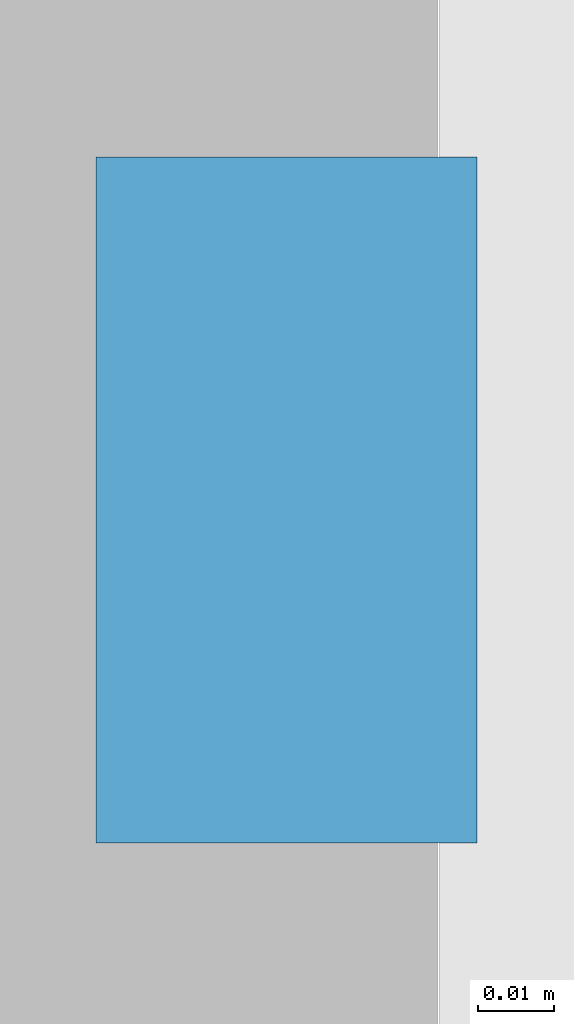
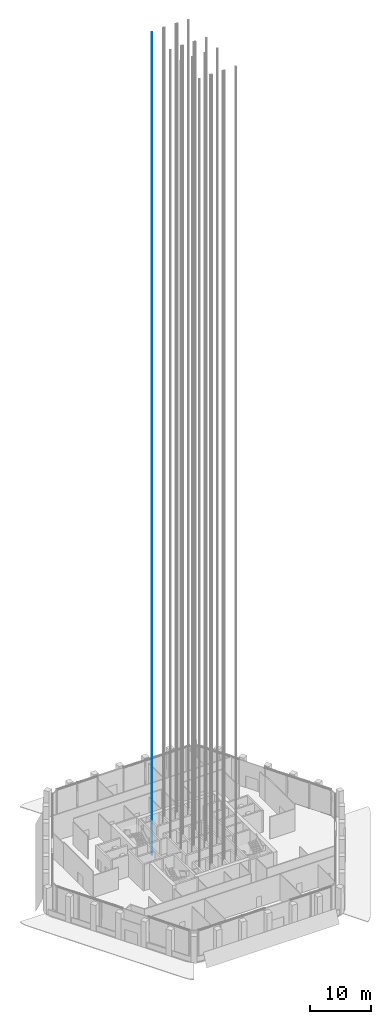
# One storey, part 34 of 42: 1 discrete accessory.
"""IFC4 building model written with IfcOpenShell, lengths in metres."""

from ifc_helpers import new_model, si_unit, direction, frame, origin, origin_2d, place, context, subcontext, project, spatial, rectangle, extrude, element, save


model = new_model("IFC4")

# Units and contexts
model_context = context("Model", 3, precision=1e-05, world=origin(), true_north=direction((0.0, 1.0)))
body_context = subcontext(model_context, "Body", "Model", "MODEL_VIEW")
ifc_project = project(units=[si_unit("LENGTHUNIT", "METRE"), si_unit("AREAUNIT", "SQUARE_METRE"), si_unit("VOLUMEUNIT", "CUBIC_METRE"), si_unit("PLANEANGLEUNIT", "RADIAN"), si_unit("MASSUNIT", "GRAM", prefix="KILO")], contexts=[model_context])

# Site, building, storey
site_placement = place(None, origin())
site = spatial("IfcSite", under=ifc_project, at=site_placement, CompositionType="ELEMENT")
building_placement = place(site_placement, origin())
building = spatial("IfcBuilding", under=site, at=building_placement, Name="Kolab Exchange Tower", CompositionType="ELEMENT")
storey_placement = place(building_placement, frame((0.0, 0.0, 133.39990234375)))
storey = spatial("IfcBuildingStorey", under=building, at=storey_placement, Name="L26", CompositionType="ELEMENT", Elevation=133.39990234375)

# Discrete accessory
discrete_accessory_placement = place(storey_placement, frame((-3.469970703125, 7.800048828125, -1.599853515625), z_axis=(0.0, 0.0, 1.0), x_axis=(1.0, 0.0, 0.0)))
element("IfcDiscreteAccessory", 1, at=discrete_accessory_placement, inside=storey, Name="Guide rail HR1-1", ObjectType="GUIDE RAIL", PredefinedType="USERDEFINED", context=body_context, shape_type="SweptSolid", body=[
    extrude(rectangle(XDim=0.050048828125, YDim=0.090087890625, at=origin_2d()), origin(), (0.0, 0.0, 1.0), 165.60009765625),
])

save(model, "model.ifc")
